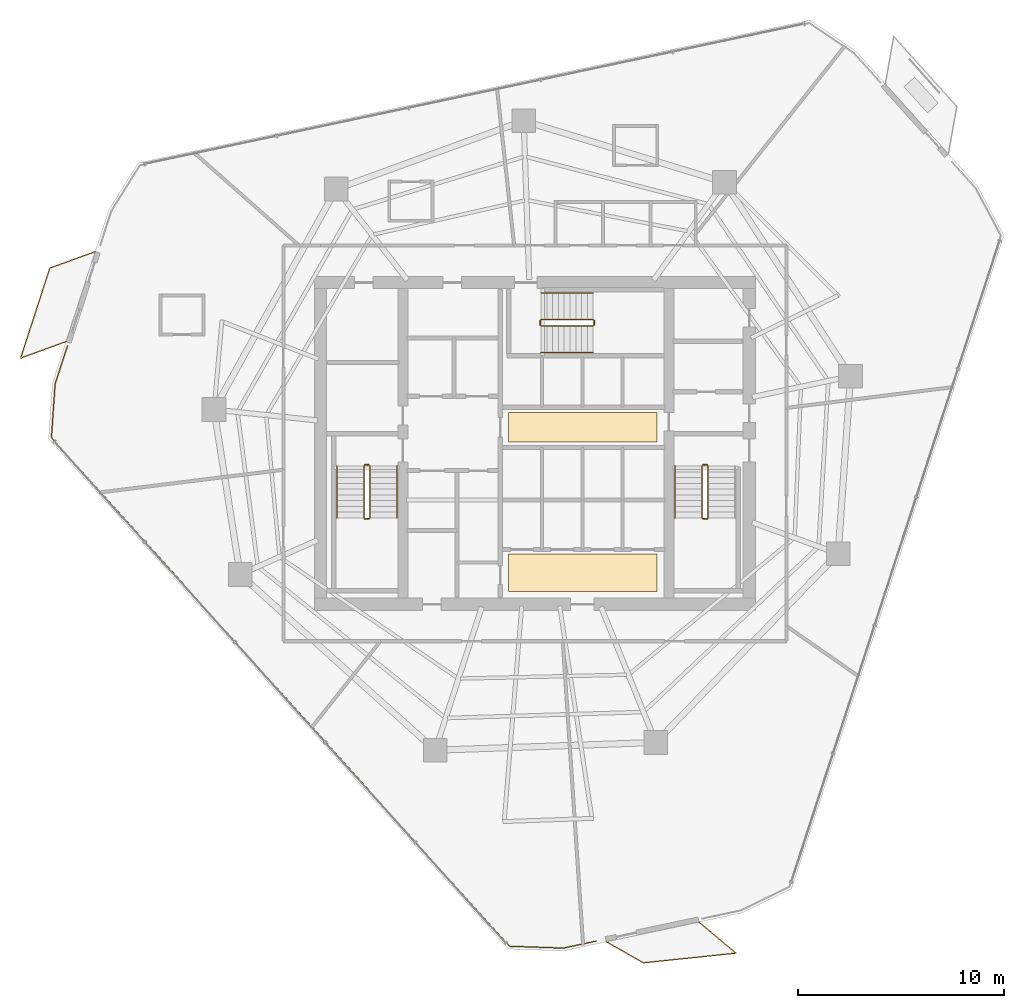
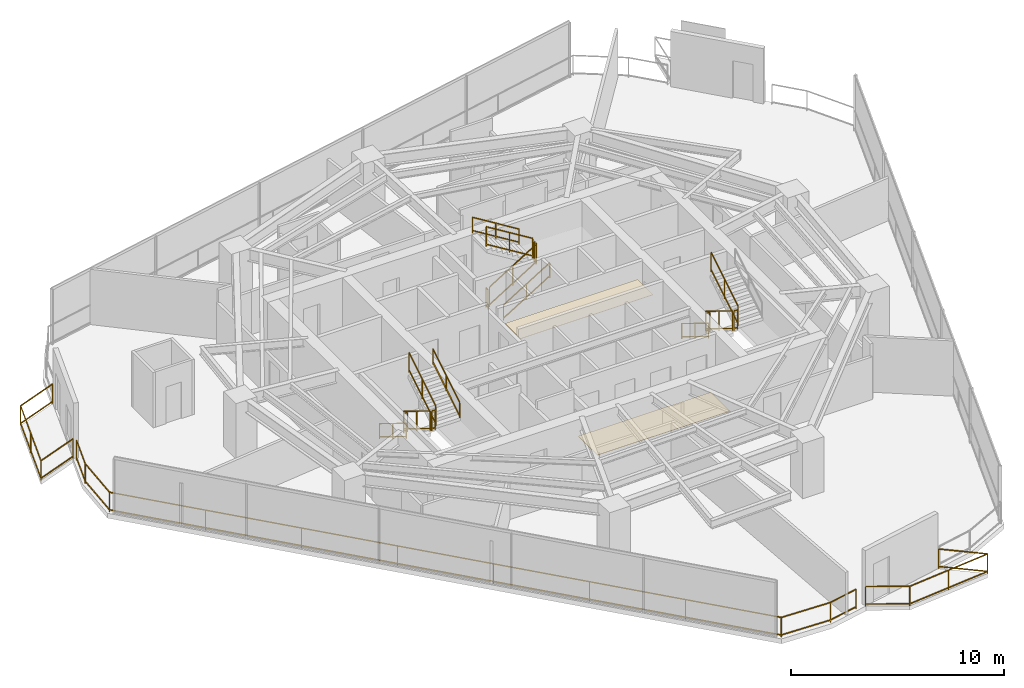
# One storey, part 26 of 27: 20 railings, 2 coverings.
"""IFC4 building model written with IfcOpenShell, lengths in metres."""

from ifc_helpers import new_model, si_unit, direction, frame, origin, origin_2d, place, context, subcontext, project, spatial, rectangle, extrude, material, layer, layer_set, type_object, element, save


model = new_model("IFC4")

# Units and contexts
model_context = context("Model", 3, precision=1e-05, world=origin(), true_north=direction((0.0, 1.0)))
body_context = subcontext(model_context, "Body", "Model", "MODEL_VIEW")
ifc_project = project(units=[si_unit("LENGTHUNIT", "METRE"), si_unit("AREAUNIT", "SQUARE_METRE"), si_unit("VOLUMEUNIT", "CUBIC_METRE"), si_unit("PLANEANGLEUNIT", "RADIAN"), si_unit("MASSUNIT", "GRAM", prefix="KILO")], contexts=[model_context])

# Site, building, storey
site_placement = place(None, origin())
site = spatial("IfcSite", under=ifc_project, at=site_placement, CompositionType="ELEMENT")
building_placement = place(site_placement, origin())
building = spatial("IfcBuilding", under=site, at=building_placement, Name="Qarnah Convention Tower", CompositionType="ELEMENT")
storey_placement = place(building_placement, frame((0.0, 0.0, 110.85009765625)))
storey = spatial("IfcBuildingStorey", under=building, at=storey_placement, Name="L29", CompositionType="ELEMENT", Elevation=110.85009765625)

# Coverings
ifc_material_1 = material(Name="Mineral fibre acoustic ceiling")
ifc_layer_1 = layer(ifc_material_1, 0.02001953125)
ifc_layer_set_1 = layer_set([ifc_layer_1], Name="Mineral fibre acoustic ceiling")
covering_type_1 = type_object("IfcCoveringType", Name="COV-CEIL-20", PredefinedType="CEILING", material=ifc_layer_set_1)
covering_1_placement = place(storey_placement, frame((39.52001953125, 27.179931640625, 2.289794921875), z_axis=(0.0, 0.0, 1.0), x_axis=(1.0, 0.0, 0.0)))
element("IfcCovering", 1, at=covering_1_placement, inside=storey, type_object=covering_type_1, Name="L29 lift lobby acoustic ceiling", PredefinedType="CEILING", context=body_context, shape_type="SweptSolid", body=[
    extrude(rectangle(XDim=7.199951171875, YDim=1.449951171875, at=origin_2d()), origin(), (0.0, 0.0, 1.0), 0.02001953125),
])
ifc_material_2 = material(Name="Porcelain stone floor tile", Category="masonry")
ifc_layer_2 = layer(ifc_material_2, 0.02001953125)
ifc_layer_set_2 = layer_set([ifc_layer_2], Name="Porcelain stone floor tile")
covering_type_2 = type_object("IfcCoveringType", Name="COV-FLOOR-20", PredefinedType="FLOORING", material=ifc_layer_set_2)
covering_2_placement = place(storey_placement, frame((39.52001953125, 20.1201171875, 0.0), z_axis=(0.0, 0.0, 1.0), x_axis=(1.0, 0.0, 0.0)))
element("IfcCovering", 2, at=covering_2_placement, inside=storey, type_object=covering_type_2, Name="L29 lift lobby porcelain stone flooring", PredefinedType="FLOORING", context=body_context, shape_type="SweptSolid", body=[
    extrude(rectangle(XDim=7.199951171875, YDim=1.800048828125, at=origin_2d()), origin(), (0.0, 0.0, 1.0), 0.02001953125),
])

# Railings
ifc_material_3 = material(Name="Black anodised aluminium", Category="aluminium")
railing_type_1 = type_object("IfcRailingType", Name="RL-EXT-GUARD-1150", PredefinedType="GUARDRAIL", material=ifc_material_3)
railing_1_placement = place(storey_placement, frame((40.160888671875, 2.25390625, 0.0)))
element("IfcRailing", 3, at=railing_1_placement, inside=storey, type_object=railing_type_1, Name="L29 slab-edge perimeter safety guard 03", PredefinedType="GUARDRAIL", context=body_context, shape_type="SweptSolid", body=[
    extrude(rectangle(XDim=0.048095703125, YDim=0.048095703125, at=origin_2d()), frame((0.0, 0.0, 1.1259765625), z_axis=(-0.978274765157, -0.207312527014, 0.0), x_axis=(0.207312527014, -0.978274765157, 0.0)), (0.0, 0.0, 1.0), 1.625244140625),
    extrude(rectangle(XDim=0.048095703125, YDim=0.048095703125, at=origin_2d()), frame((0.0, 0.0, 0.1201171875), z_axis=(-0.978274765157, -0.207312527014, 0.0), x_axis=(0.207312527014, -0.978274765157, 0.0)), (0.0, 0.0, 1.0), 1.625244140625),
    extrude(rectangle(XDim=0.048095703125, YDim=0.048095703125, at=origin_2d()), frame((-1.58984375, -0.3369140625, 1.1259765625), z_axis=(-0.999391473509, 0.034880978724, 0.0), x_axis=(-0.034880978724, -0.999391473509, 0.0)), (0.0, 0.0, 1.0), 2.61083984375),
    extrude(rectangle(XDim=0.048095703125, YDim=0.048095703125, at=origin_2d()), frame((-1.58984375, -0.3369140625, 0.1201171875), z_axis=(-0.999391473509, 0.034880978724, 0.0), x_axis=(-0.034880978724, -0.999391473509, 0.0)), (0.0, 0.0, 1.0), 2.61083984375),
    extrude(rectangle(XDim=0.048095703125, YDim=0.048095703125, at=origin_2d()), frame((-4.198974609375, -0.245849609375, 1.1259765625), z_axis=(-0.669115865186, 0.743158098224, 0.0), x_axis=(-0.743158098224, -0.669115865186, 0.0)), (0.0, 0.0, 1.0), 33.197265625),
    extrude(rectangle(XDim=0.048095703125, YDim=0.048095703125, at=origin_2d()), frame((-4.198974609375, -0.245849609375, 0.1201171875), z_axis=(-0.669115865186, 0.743158098224, 0.0), x_axis=(-0.743158098224, -0.669115865186, 0.0)), (0.0, 0.0, 1.0), 33.197265625),
    extrude(rectangle(XDim=0.048095703125, YDim=0.048095703125, at=origin_2d()), frame((-26.411865234375, 24.425048828125, 1.1259765625), z_axis=(0.069331916407, 0.997593647417, 0.0), x_axis=(-0.997593647417, 0.069331916407, 0.0)), (0.0, 0.0, 1.0), 2.609375),
    extrude(rectangle(XDim=0.048095703125, YDim=0.048095703125, at=origin_2d()), frame((-26.411865234375, 24.425048828125, 0.1201171875), z_axis=(0.069331916407, 0.997593647417, 0.0), x_axis=(-0.997593647417, 0.069331916407, 0.0)), (0.0, 0.0, 1.0), 2.609375),
    extrude(rectangle(XDim=0.048095703125, YDim=0.048095703125, at=origin_2d()), frame((-26.23095703125, 27.028076171875, 1.1259765625), z_axis=(0.309140281319, 0.951016449104, 0.0), x_axis=(-0.951016449104, 0.309140281319, 0.0)), (0.0, 0.0, 1.0), 1.934814453125),
    extrude(rectangle(XDim=0.048095703125, YDim=0.048095703125, at=origin_2d()), frame((-26.23095703125, 27.028076171875, 0.1201171875), z_axis=(0.309140281319, 0.951016449104, 0.0), x_axis=(-0.951016449104, 0.309140281319, 0.0)), (0.0, 0.0, 1.0), 1.934814453125),
    extrude(rectangle(XDim=0.0419921875, YDim=0.0419921875, at=origin_2d()), origin(), (0.0, 0.0, 1.0), 1.101806640625),
    extrude(rectangle(XDim=0.0419921875, YDim=0.0419921875, at=origin_2d()), frame((-1.58984375, -0.3369140625, 0.0)), (0.0, 0.0, 1.0), 1.101806640625),
    extrude(rectangle(XDim=0.0419921875, YDim=0.0419921875, at=origin_2d()), frame((-4.198974609375, -0.245849609375, 0.0)), (0.0, 0.0, 1.0), 1.101806640625),
    extrude(rectangle(XDim=0.0419921875, YDim=0.0419921875, at=origin_2d()), frame((-7.372314453125, 3.278564453125, 0.0)), (0.0, 0.0, 1.0), 1.101806640625),
    extrude(rectangle(XDim=0.0419921875, YDim=0.0419921875, at=origin_2d()), frame((-10.54541015625, 6.802978515625, 0.0)), (0.0, 0.0, 1.0), 1.101806640625),
    extrude(rectangle(XDim=0.0419921875, YDim=0.0419921875, at=origin_2d()), frame((-13.71875, 10.327392578125, 0.0)), (0.0, 0.0, 1.0), 1.101806640625),
    extrude(rectangle(XDim=0.0419921875, YDim=0.0419921875, at=origin_2d()), frame((-16.89208984375, 13.851806640625, 0.0)), (0.0, 0.0, 1.0), 1.101806640625),
    extrude(rectangle(XDim=0.0419921875, YDim=0.0419921875, at=origin_2d()), frame((-20.0654296875, 17.376220703125, 0.0)), (0.0, 0.0, 1.0), 1.101806640625),
    extrude(rectangle(XDim=0.0419921875, YDim=0.0419921875, at=origin_2d()), frame((-23.238525390625, 20.900634765625, 0.0)), (0.0, 0.0, 1.0), 1.101806640625),
    extrude(rectangle(XDim=0.0419921875, YDim=0.0419921875, at=origin_2d()), frame((-26.411865234375, 24.425048828125, 0.0)), (0.0, 0.0, 1.0), 1.101806640625),
    extrude(rectangle(XDim=0.0419921875, YDim=0.0419921875, at=origin_2d()), frame((-26.23095703125, 27.028076171875, 0.0)), (0.0, 0.0, 1.0), 1.101806640625),
    extrude(rectangle(XDim=0.0419921875, YDim=0.0419921875, at=origin_2d()), frame((-25.6328125, 28.8681640625, 0.0)), (0.0, 0.0, 1.0), 1.101806640625),
])
railing_2_placement = place(storey_placement, frame((14.4541015625, 31.3291015625, 0.0)))
element("IfcRailing", 4, at=railing_2_placement, inside=storey, type_object=railing_type_1, Name="L29 balcony safety guard BAL-L29-C2", PredefinedType="GUARDRAIL", context=body_context, shape_type="SweptSolid", body=[
    extrude(rectangle(XDim=0.048095703125, YDim=0.048095703125, at=origin_2d()), frame((0.0, 0.0, 1.1259765625), z_axis=(-0.939653679597, -0.342127114417, 0.0), x_axis=(0.342127114417, -0.939653679597, 0.0)), (0.0, 0.0, 1.0), 2.34765625),
    extrude(rectangle(XDim=0.048095703125, YDim=0.048095703125, at=origin_2d()), frame((0.0, 0.0, 0.1201171875), z_axis=(-0.939653679597, -0.342127114417, 0.0), x_axis=(0.342127114417, -0.939653679597, 0.0)), (0.0, 0.0, 1.0), 2.34765625),
    extrude(rectangle(XDim=0.048095703125, YDim=0.048095703125, at=origin_2d()), frame((-2.2060546875, -0.80322265625, 1.1259765625), z_axis=(0.308956432108, 0.951076192037, 0.0), x_axis=(-0.951076192037, 0.308956432108, 0.0)), (0.0, 0.0, 1.0), 4.59912109375),
    extrude(rectangle(XDim=0.048095703125, YDim=0.048095703125, at=origin_2d()), frame((-2.2060546875, -0.80322265625, 0.1201171875), z_axis=(0.308956432108, 0.951076192037, 0.0), x_axis=(-0.951076192037, 0.308956432108, 0.0)), (0.0, 0.0, 1.0), 4.59912109375),
    extrude(rectangle(XDim=0.048095703125, YDim=0.048095703125, at=origin_2d()), frame((-0.78515625, 3.57080078125, 1.1259765625), z_axis=(0.939687107111, 0.342035291643, 0.0), x_axis=(-0.342035291643, 0.939687107111, 0.0)), (0.0, 0.0, 1.0), 2.34765625),
    extrude(rectangle(XDim=0.048095703125, YDim=0.048095703125, at=origin_2d()), frame((-0.78515625, 3.57080078125, 0.1201171875), z_axis=(0.939687107111, 0.342035291643, 0.0), x_axis=(-0.342035291643, 0.939687107111, 0.0)), (0.0, 0.0, 1.0), 2.34765625),
    extrude(rectangle(XDim=0.0419921875, YDim=0.0419921875, at=origin_2d()), origin(), (0.0, 0.0, 1.0), 1.101806640625),
    extrude(rectangle(XDim=0.0419921875, YDim=0.0419921875, at=origin_2d()), frame((-2.2060546875, -0.80322265625, 0.0)), (0.0, 0.0, 1.0), 1.101806640625),
    extrude(rectangle(XDim=0.0419921875, YDim=0.0419921875, at=origin_2d()), frame((-1.49560546875, 1.3837890625, 0.0)), (0.0, 0.0, 1.0), 1.101806640625),
    extrude(rectangle(XDim=0.0419921875, YDim=0.0419921875, at=origin_2d()), frame((-0.78515625, 3.57080078125, 0.0)), (0.0, 0.0, 1.0), 1.101806640625),
    extrude(rectangle(XDim=0.0419921875, YDim=0.0419921875, at=origin_2d()), frame((1.4208984375, 4.373779296875, 0.0)), (0.0, 0.0, 1.0), 1.101806640625),
])
railing_3_placement = place(storey_placement, frame((45.159912109375, 3.178955078125, 0.0)))
element("IfcRailing", 5, at=railing_3_placement, inside=storey, type_object=railing_type_1, Name="L29 balcony safety guard BAL-L29-C3", PredefinedType="GUARDRAIL", context=body_context, shape_type="SweptSolid", body=[
    extrude(rectangle(XDim=0.048095703125, YDim=0.048095703125, at=origin_2d()), frame((0.0, 0.0, 1.1259765625), z_axis=(0.766163469547, -0.642645732836, 0.0), x_axis=(0.642645732836, 0.766163469547, 0.0)), (0.0, 0.0, 1.0), 2.34814453125),
    extrude(rectangle(XDim=0.048095703125, YDim=0.048095703125, at=origin_2d()), frame((0.0, 0.0, 0.1201171875), z_axis=(0.766163469547, -0.642645732836, 0.0), x_axis=(0.642645732836, 0.766163469547, 0.0)), (0.0, 0.0, 1.0), 2.34814453125),
    extrude(rectangle(XDim=0.048095703125, YDim=0.048095703125, at=origin_2d()), frame((1.799072265625, -1.509033203125, 1.1259765625), z_axis=(-0.994590570593, -0.103872984396, 0.0), x_axis=(0.103872984396, -0.994590570593, 0.0)), (0.0, 0.0, 1.0), 4.5244140625),
    extrude(rectangle(XDim=0.048095703125, YDim=0.048095703125, at=origin_2d()), frame((1.799072265625, -1.509033203125, 0.1201171875), z_axis=(-0.994590570593, -0.103872984396, 0.0), x_axis=(0.103872984396, -0.994590570593, 0.0)), (0.0, 0.0, 1.0), 4.5244140625),
    extrude(rectangle(XDim=0.048095703125, YDim=0.048095703125, at=origin_2d()), frame((-2.700927734375, -1.97900390625, 1.1259765625), z_axis=(-0.869185695751, 0.494485820122, 0.0), x_axis=(-0.494485820122, -0.869185695751, 0.0)), (0.0, 0.0, 1.0), 2.068603515625),
    extrude(rectangle(XDim=0.048095703125, YDim=0.048095703125, at=origin_2d()), frame((-2.700927734375, -1.97900390625, 0.1201171875), z_axis=(-0.869185695751, 0.494485820122, 0.0), x_axis=(-0.494485820122, -0.869185695751, 0.0)), (0.0, 0.0, 1.0), 2.068603515625),
    extrude(rectangle(XDim=0.0419921875, YDim=0.0419921875, at=origin_2d()), origin(), (0.0, 0.0, 1.0), 1.101806640625),
    extrude(rectangle(XDim=0.0419921875, YDim=0.0419921875, at=origin_2d()), frame((1.799072265625, -1.509033203125, 0.0)), (0.0, 0.0, 1.0), 1.101806640625),
    extrude(rectangle(XDim=0.0419921875, YDim=0.0419921875, at=origin_2d()), frame((-0.450927734375, -1.744140625, 0.0)), (0.0, 0.0, 1.0), 1.101806640625),
    extrude(rectangle(XDim=0.0419921875, YDim=0.0419921875, at=origin_2d()), frame((-2.700927734375, -1.97900390625, 0.0)), (0.0, 0.0, 1.0), 1.101806640625),
    extrude(rectangle(XDim=0.0419921875, YDim=0.0419921875, at=origin_2d()), frame((-4.4990234375, -0.9560546875, 0.0)), (0.0, 0.0, 1.0), 1.101806640625),
])
ifc_material_4 = material(Name="Structural steel S355JR", Category="steel")
railing_type_2 = type_object("IfcRailingType", Name="RL-STAIR-GUARD-1150", PredefinedType="GUARDRAIL", material=ifc_material_4)
railing_4_placement = place(storey_placement, frame((28.89990234375, 25.300048828125, 0.17236328125)))
element("IfcRailing", 6, at=railing_4_placement, inside=storey, type_object=railing_type_2, Name="L29 ST-1 stair guard 1", PredefinedType="GUARDRAIL", context=body_context, shape_type="SweptSolid", body=[
    extrude(rectangle(XDim=0.048095703125, YDim=0.048095703125, at=origin_2d()), frame((0.0, 0.0, 1.1259765625), z_axis=(0.0, -0.851400495292, 0.524516154772), x_axis=(1.0, 0.0, 0.0)), (0.0, 0.0, 1.0), 2.9599609375),
    extrude(rectangle(XDim=0.048095703125, YDim=0.048095703125, at=origin_2d()), frame((0.0, 0.0, 0.1201171875), z_axis=(0.0, -0.851400495292, 0.524516154772), x_axis=(1.0, 0.0, 0.0)), (0.0, 0.0, 1.0), 2.9599609375),
    extrude(rectangle(XDim=0.0419921875, YDim=0.0419921875, at=origin_2d()), origin(), (0.0, 0.0, 1.0), 1.101806640625),
    extrude(rectangle(XDim=0.0419921875, YDim=0.0419921875, at=origin_2d()), frame((0.0, -1.260009765625, 0.7763671875)), (0.0, 0.0, 1.0), 1.101806640625),
    extrude(rectangle(XDim=0.0419921875, YDim=0.0419921875, at=origin_2d()), frame((0.0, -2.52001953125, 1.552490234375)), (0.0, 0.0, 1.0), 1.101806640625),
])
railing_5_placement = place(storey_placement, frame((28.949951171875, 22.72998046875, 1.724853515625)))
element("IfcRailing", 7, at=railing_5_placement, inside=storey, type_object=railing_type_2, Name="L29 ST-1 stair guard 2", PredefinedType="GUARDRAIL", context=body_context, shape_type="SweptSolid", body=[
    extrude(rectangle(XDim=0.048095703125, YDim=0.048095703125, at=origin_2d()), frame((0.0, 0.0, 1.1259765625), z_axis=(1.0, 0.0, 0.0), x_axis=(0.0, 1.0, 0.0)), (0.0, 0.0, 1.0), 0.199951171875),
    extrude(rectangle(XDim=0.048095703125, YDim=0.048095703125, at=origin_2d()), frame((0.0, 0.0, 0.1201171875), z_axis=(1.0, 0.0, 0.0), x_axis=(0.0, 1.0, 0.0)), (0.0, 0.0, 1.0), 0.199951171875),
    extrude(rectangle(XDim=0.0419921875, YDim=0.0419921875, at=origin_2d()), origin(), (0.0, 0.0, 1.0), 1.101806640625),
    extrude(rectangle(XDim=0.0419921875, YDim=0.0419921875, at=origin_2d()), frame((0.199951171875, 0.0, 0.0)), (0.0, 0.0, 1.0), 1.101806640625),
])
railing_6_placement = place(storey_placement, frame((29.199951171875, 22.780029296875, 1.8974609375)))
element("IfcRailing", 8, at=railing_6_placement, inside=storey, type_object=railing_type_2, Name="L29 ST-1 stair guard 3", PredefinedType="GUARDRAIL", context=body_context, shape_type="SweptSolid", body=[
    extrude(rectangle(XDim=0.048095703125, YDim=0.048095703125, at=origin_2d()), frame((0.0, 0.0, 1.1259765625), z_axis=(0.0, 0.851400495292, 0.524516154772), x_axis=(-1.0, 0.0, 0.0)), (0.0, 0.0, 1.0), 2.9599609375),
    extrude(rectangle(XDim=0.048095703125, YDim=0.048095703125, at=origin_2d()), frame((0.0, 0.0, 0.1201171875), z_axis=(0.0, 0.851400495292, 0.524516154772), x_axis=(-1.0, 0.0, 0.0)), (0.0, 0.0, 1.0), 2.9599609375),
    extrude(rectangle(XDim=0.0419921875, YDim=0.0419921875, at=origin_2d()), origin(), (0.0, 0.0, 1.0), 1.101806640625),
    extrude(rectangle(XDim=0.0419921875, YDim=0.0419921875, at=origin_2d()), frame((0.0, 1.260009765625, 0.7763671875)), (0.0, 0.0, 1.0), 1.101806640625),
    extrude(rectangle(XDim=0.0419921875, YDim=0.0419921875, at=origin_2d()), frame((0.0, 2.52001953125, 1.552490234375)), (0.0, 0.0, 1.0), 1.101806640625),
])
railing_7_placement = place(storey_placement, frame((28.949951171875, 25.35009765625, 0.0)))
element("IfcRailing", 9, at=railing_7_placement, inside=storey, type_object=railing_type_2, Name="L29 ST-1 stair guard 4", PredefinedType="GUARDRAIL", context=body_context, shape_type="SweptSolid", body=[
    extrude(rectangle(XDim=0.048095703125, YDim=0.048095703125, at=origin_2d()), frame((0.0, 0.0, 1.1259765625), z_axis=(1.0, 0.0, 0.0), x_axis=(0.0, 1.0, 0.0)), (0.0, 0.0, 1.0), 0.199951171875),
    extrude(rectangle(XDim=0.048095703125, YDim=0.048095703125, at=origin_2d()), frame((0.0, 0.0, 0.1201171875), z_axis=(1.0, 0.0, 0.0), x_axis=(0.0, 1.0, 0.0)), (0.0, 0.0, 1.0), 0.199951171875),
    extrude(rectangle(XDim=0.0419921875, YDim=0.0419921875, at=origin_2d()), origin(), (0.0, 0.0, 1.0), 1.101806640625),
    extrude(rectangle(XDim=0.0419921875, YDim=0.0419921875, at=origin_2d()), frame((0.199951171875, 0.0, 0.0)), (0.0, 0.0, 1.0), 1.101806640625),
])
railing_8_placement = place(storey_placement, frame((45.300048828125, 25.300048828125, 0.17236328125)))
element("IfcRailing", 10, at=railing_8_placement, inside=storey, type_object=railing_type_2, Name="L29 ST-2 stair guard 1", PredefinedType="GUARDRAIL", context=body_context, shape_type="SweptSolid", body=[
    extrude(rectangle(XDim=0.048095703125, YDim=0.048095703125, at=origin_2d()), frame((0.0, 0.0, 1.1259765625), z_axis=(0.0, -0.851400495292, 0.524516154772), x_axis=(1.0, 0.0, 0.0)), (0.0, 0.0, 1.0), 2.9599609375),
    extrude(rectangle(XDim=0.048095703125, YDim=0.048095703125, at=origin_2d()), frame((0.0, 0.0, 0.1201171875), z_axis=(0.0, -0.851400495292, 0.524516154772), x_axis=(1.0, 0.0, 0.0)), (0.0, 0.0, 1.0), 2.9599609375),
    extrude(rectangle(XDim=0.0419921875, YDim=0.0419921875, at=origin_2d()), origin(), (0.0, 0.0, 1.0), 1.101806640625),
    extrude(rectangle(XDim=0.0419921875, YDim=0.0419921875, at=origin_2d()), frame((0.0, -1.260009765625, 0.7763671875)), (0.0, 0.0, 1.0), 1.101806640625),
    extrude(rectangle(XDim=0.0419921875, YDim=0.0419921875, at=origin_2d()), frame((0.0, -2.52001953125, 1.552490234375)), (0.0, 0.0, 1.0), 1.101806640625),
])
railing_9_placement = place(storey_placement, frame((45.35009765625, 22.72998046875, 1.724853515625)))
element("IfcRailing", 11, at=railing_9_placement, inside=storey, type_object=railing_type_2, Name="L29 ST-2 stair guard 2", PredefinedType="GUARDRAIL", context=body_context, shape_type="SweptSolid", body=[
    extrude(rectangle(XDim=0.048095703125, YDim=0.048095703125, at=origin_2d()), frame((0.0, 0.0, 1.1259765625), z_axis=(1.0, 0.0, 0.0), x_axis=(0.0, 1.0, 0.0)), (0.0, 0.0, 1.0), 0.199951171875),
    extrude(rectangle(XDim=0.048095703125, YDim=0.048095703125, at=origin_2d()), frame((0.0, 0.0, 0.1201171875), z_axis=(1.0, 0.0, 0.0), x_axis=(0.0, 1.0, 0.0)), (0.0, 0.0, 1.0), 0.199951171875),
    extrude(rectangle(XDim=0.0419921875, YDim=0.0419921875, at=origin_2d()), origin(), (0.0, 0.0, 1.0), 1.101806640625),
    extrude(rectangle(XDim=0.0419921875, YDim=0.0419921875, at=origin_2d()), frame((0.199951171875, 0.0, 0.0)), (0.0, 0.0, 1.0), 1.101806640625),
])
railing_10_placement = place(storey_placement, frame((45.60009765625, 22.780029296875, 1.8974609375)))
element("IfcRailing", 12, at=railing_10_placement, inside=storey, type_object=railing_type_2, Name="L29 ST-2 stair guard 3", PredefinedType="GUARDRAIL", context=body_context, shape_type="SweptSolid", body=[
    extrude(rectangle(XDim=0.048095703125, YDim=0.048095703125, at=origin_2d()), frame((0.0, 0.0, 1.1259765625), z_axis=(0.0, 0.851400495292, 0.524516154772), x_axis=(-1.0, 0.0, 0.0)), (0.0, 0.0, 1.0), 2.9599609375),
    extrude(rectangle(XDim=0.048095703125, YDim=0.048095703125, at=origin_2d()), frame((0.0, 0.0, 0.1201171875), z_axis=(0.0, 0.851400495292, 0.524516154772), x_axis=(-1.0, 0.0, 0.0)), (0.0, 0.0, 1.0), 2.9599609375),
    extrude(rectangle(XDim=0.0419921875, YDim=0.0419921875, at=origin_2d()), origin(), (0.0, 0.0, 1.0), 1.101806640625),
    extrude(rectangle(XDim=0.0419921875, YDim=0.0419921875, at=origin_2d()), frame((0.0, 1.260009765625, 0.7763671875)), (0.0, 0.0, 1.0), 1.101806640625),
    extrude(rectangle(XDim=0.0419921875, YDim=0.0419921875, at=origin_2d()), frame((0.0, 2.52001953125, 1.552490234375)), (0.0, 0.0, 1.0), 1.101806640625),
])
railing_11_placement = place(storey_placement, frame((45.35009765625, 25.35009765625, 0.0)))
element("IfcRailing", 13, at=railing_11_placement, inside=storey, type_object=railing_type_2, Name="L29 ST-2 stair guard 4", PredefinedType="GUARDRAIL", context=body_context, shape_type="SweptSolid", body=[
    extrude(rectangle(XDim=0.048095703125, YDim=0.048095703125, at=origin_2d()), frame((0.0, 0.0, 1.1259765625), z_axis=(1.0, 0.0, 0.0), x_axis=(0.0, 1.0, 0.0)), (0.0, 0.0, 1.0), 0.199951171875),
    extrude(rectangle(XDim=0.048095703125, YDim=0.048095703125, at=origin_2d()), frame((0.0, 0.0, 0.1201171875), z_axis=(1.0, 0.0, 0.0), x_axis=(0.0, 1.0, 0.0)), (0.0, 0.0, 1.0), 0.199951171875),
    extrude(rectangle(XDim=0.0419921875, YDim=0.0419921875, at=origin_2d()), origin(), (0.0, 0.0, 1.0), 1.101806640625),
    extrude(rectangle(XDim=0.0419921875, YDim=0.0419921875, at=origin_2d()), frame((0.199951171875, 0.0, 0.0)), (0.0, 0.0, 1.0), 1.101806640625),
])
railing_12_placement = place(storey_placement, frame((37.5, 32.10009765625, 0.17236328125)))
element("IfcRailing", 14, at=railing_12_placement, inside=storey, type_object=railing_type_2, Name="L29 ST-3 stair guard 1", PredefinedType="GUARDRAIL", context=body_context, shape_type="SweptSolid", body=[
    extrude(rectangle(XDim=0.048095703125, YDim=0.048095703125, at=origin_2d()), frame((0.0, 0.0, 1.1259765625), z_axis=(0.851400495292, 0.0, 0.524516154772), x_axis=(0.0, 1.0, 0.0)), (0.0, 0.0, 1.0), 2.9599609375),
    extrude(rectangle(XDim=0.048095703125, YDim=0.048095703125, at=origin_2d()), frame((0.0, 0.0, 0.1201171875), z_axis=(0.851400495292, 0.0, 0.524516154772), x_axis=(0.0, 1.0, 0.0)), (0.0, 0.0, 1.0), 2.9599609375),
    extrude(rectangle(XDim=0.0419921875, YDim=0.0419921875, at=origin_2d()), origin(), (0.0, 0.0, 1.0), 1.101806640625),
    extrude(rectangle(XDim=0.0419921875, YDim=0.0419921875, at=origin_2d()), frame((1.260009765625, 0.0, 0.7763671875)), (0.0, 0.0, 1.0), 1.101806640625),
    extrude(rectangle(XDim=0.0419921875, YDim=0.0419921875, at=origin_2d()), frame((2.52001953125, 0.0, 1.552490234375)), (0.0, 0.0, 1.0), 1.101806640625),
])
railing_13_placement = place(storey_placement, frame((40.070068359375, 32.14990234375, 1.724853515625)))
element("IfcRailing", 15, at=railing_13_placement, inside=storey, type_object=railing_type_2, Name="L29 ST-3 stair guard 2", PredefinedType="GUARDRAIL", context=body_context, shape_type="SweptSolid", body=[
    extrude(rectangle(XDim=0.048095703125, YDim=0.048095703125, at=origin_2d()), frame((0.0, 0.0, 1.1259765625), z_axis=(0.0, 1.0, 0.0), x_axis=(-1.0, 0.0, 0.0)), (0.0, 0.0, 1.0), 0.2001953125),
    extrude(rectangle(XDim=0.048095703125, YDim=0.048095703125, at=origin_2d()), frame((0.0, 0.0, 0.1201171875), z_axis=(0.0, 1.0, 0.0), x_axis=(-1.0, 0.0, 0.0)), (0.0, 0.0, 1.0), 0.2001953125),
    extrude(rectangle(XDim=0.0419921875, YDim=0.0419921875, at=origin_2d()), origin(), (0.0, 0.0, 1.0), 1.101806640625),
    extrude(rectangle(XDim=0.0419921875, YDim=0.0419921875, at=origin_2d()), frame((0.0, 0.2001953125, 0.0)), (0.0, 0.0, 1.0), 1.101806640625),
])
railing_14_placement = place(storey_placement, frame((40.02001953125, 32.39990234375, 1.8974609375)))
element("IfcRailing", 16, at=railing_14_placement, inside=storey, type_object=railing_type_2, Name="L29 ST-3 stair guard 3", PredefinedType="GUARDRAIL", context=body_context, shape_type="SweptSolid", body=[
    extrude(rectangle(XDim=0.048095703125, YDim=0.048095703125, at=origin_2d()), frame((0.0, 0.0, 1.1259765625), z_axis=(-0.851400495292, 0.0, 0.524516154772), x_axis=(0.0, -1.0, 0.0)), (0.0, 0.0, 1.0), 2.9599609375),
    extrude(rectangle(XDim=0.048095703125, YDim=0.048095703125, at=origin_2d()), frame((0.0, 0.0, 0.1201171875), z_axis=(-0.851400495292, 0.0, 0.524516154772), x_axis=(0.0, -1.0, 0.0)), (0.0, 0.0, 1.0), 2.9599609375),
    extrude(rectangle(XDim=0.0419921875, YDim=0.0419921875, at=origin_2d()), origin(), (0.0, 0.0, 1.0), 1.101806640625),
    extrude(rectangle(XDim=0.0419921875, YDim=0.0419921875, at=origin_2d()), frame((-1.260009765625, 0.0, 0.7763671875)), (0.0, 0.0, 1.0), 1.101806640625),
    extrude(rectangle(XDim=0.0419921875, YDim=0.0419921875, at=origin_2d()), frame((-2.52001953125, 0.0, 1.552490234375)), (0.0, 0.0, 1.0), 1.101806640625),
])
railing_15_placement = place(storey_placement, frame((37.449951171875, 32.14990234375, 0.0)))
element("IfcRailing", 17, at=railing_15_placement, inside=storey, type_object=railing_type_2, Name="L29 ST-3 stair guard 4", PredefinedType="GUARDRAIL", context=body_context, shape_type="SweptSolid", body=[
    extrude(rectangle(XDim=0.048095703125, YDim=0.048095703125, at=origin_2d()), frame((0.0, 0.0, 1.1259765625), z_axis=(0.0, 1.0, 0.0), x_axis=(-1.0, 0.0, 0.0)), (0.0, 0.0, 1.0), 0.2001953125),
    extrude(rectangle(XDim=0.048095703125, YDim=0.048095703125, at=origin_2d()), frame((0.0, 0.0, 0.1201171875), z_axis=(0.0, 1.0, 0.0), x_axis=(-1.0, 0.0, 0.0)), (0.0, 0.0, 1.0), 0.2001953125),
    extrude(rectangle(XDim=0.0419921875, YDim=0.0419921875, at=origin_2d()), origin(), (0.0, 0.0, 1.0), 1.101806640625),
    extrude(rectangle(XDim=0.0419921875, YDim=0.0419921875, at=origin_2d()), frame((0.0, 0.2001953125, 0.0)), (0.0, 0.0, 1.0), 1.101806640625),
])
railing_type_3 = type_object("IfcRailingType", Name="RL-STAIR-HAND-900", PredefinedType="HANDRAIL", material=ifc_material_4)
railing_16_placement = place(storey_placement, frame((27.60009765625, 25.300048828125, 0.17236328125)))
element("IfcRailing", 18, at=railing_16_placement, inside=storey, type_object=railing_type_3, Name="L29 ST-1 stair handrail 1", PredefinedType="HANDRAIL", context=body_context, shape_type="SweptSolid", body=[
    extrude(rectangle(XDim=0.048095703125, YDim=0.048095703125, at=origin_2d()), frame((0.0, 0.0, 0.8759765625), z_axis=(0.0, -0.851400495292, 0.524516154772), x_axis=(1.0, 0.0, 0.0)), (0.0, 0.0, 1.0), 2.9599609375),
    extrude(rectangle(XDim=0.048095703125, YDim=0.048095703125, at=origin_2d()), frame((0.0, 0.0, 0.1201171875), z_axis=(0.0, -0.851400495292, 0.524516154772), x_axis=(1.0, 0.0, 0.0)), (0.0, 0.0, 1.0), 2.9599609375),
    extrude(rectangle(XDim=0.0419921875, YDim=0.0419921875, at=origin_2d()), origin(), (0.0, 0.0, 1.0), 0.851806640625),
    extrude(rectangle(XDim=0.0419921875, YDim=0.0419921875, at=origin_2d()), frame((0.0, -1.260009765625, 0.7763671875)), (0.0, 0.0, 1.0), 0.851806640625),
    extrude(rectangle(XDim=0.0419921875, YDim=0.0419921875, at=origin_2d()), frame((0.0, -2.52001953125, 1.552490234375)), (0.0, 0.0, 1.0), 0.851806640625),
])
railing_17_placement = place(storey_placement, frame((30.5, 22.780029296875, 1.8974609375)))
element("IfcRailing", 19, at=railing_17_placement, inside=storey, type_object=railing_type_3, Name="L29 ST-1 stair handrail 2", PredefinedType="HANDRAIL", context=body_context, shape_type="SweptSolid", body=[
    extrude(rectangle(XDim=0.048095703125, YDim=0.048095703125, at=origin_2d()), frame((0.0, 0.0, 0.8759765625), z_axis=(0.0, 0.851400495292, 0.524516154772), x_axis=(-1.0, 0.0, 0.0)), (0.0, 0.0, 1.0), 2.9599609375),
    extrude(rectangle(XDim=0.048095703125, YDim=0.048095703125, at=origin_2d()), frame((0.0, 0.0, 0.1201171875), z_axis=(0.0, 0.851400495292, 0.524516154772), x_axis=(-1.0, 0.0, 0.0)), (0.0, 0.0, 1.0), 2.9599609375),
    extrude(rectangle(XDim=0.0419921875, YDim=0.0419921875, at=origin_2d()), origin(), (0.0, 0.0, 1.0), 0.851806640625),
    extrude(rectangle(XDim=0.0419921875, YDim=0.0419921875, at=origin_2d()), frame((0.0, 1.260009765625, 0.7763671875)), (0.0, 0.0, 1.0), 0.851806640625),
    extrude(rectangle(XDim=0.0419921875, YDim=0.0419921875, at=origin_2d()), frame((0.0, 2.52001953125, 1.552490234375)), (0.0, 0.0, 1.0), 0.851806640625),
])
railing_18_placement = place(storey_placement, frame((44.0, 25.300048828125, 0.17236328125)))
element("IfcRailing", 20, at=railing_18_placement, inside=storey, type_object=railing_type_3, Name="L29 ST-2 stair handrail 1", PredefinedType="HANDRAIL", context=body_context, shape_type="SweptSolid", body=[
    extrude(rectangle(XDim=0.048095703125, YDim=0.048095703125, at=origin_2d()), frame((0.0, 0.0, 0.8759765625), z_axis=(0.0, -0.851400495292, 0.524516154772), x_axis=(1.0, 0.0, 0.0)), (0.0, 0.0, 1.0), 2.9599609375),
    extrude(rectangle(XDim=0.048095703125, YDim=0.048095703125, at=origin_2d()), frame((0.0, 0.0, 0.1201171875), z_axis=(0.0, -0.851400495292, 0.524516154772), x_axis=(1.0, 0.0, 0.0)), (0.0, 0.0, 1.0), 2.9599609375),
    extrude(rectangle(XDim=0.0419921875, YDim=0.0419921875, at=origin_2d()), origin(), (0.0, 0.0, 1.0), 0.851806640625),
    extrude(rectangle(XDim=0.0419921875, YDim=0.0419921875, at=origin_2d()), frame((0.0, -1.260009765625, 0.7763671875)), (0.0, 0.0, 1.0), 0.851806640625),
    extrude(rectangle(XDim=0.0419921875, YDim=0.0419921875, at=origin_2d()), frame((0.0, -2.52001953125, 1.552490234375)), (0.0, 0.0, 1.0), 0.851806640625),
])
railing_19_placement = place(storey_placement, frame((37.5, 30.800048828125, 0.17236328125)))
element("IfcRailing", 21, at=railing_19_placement, inside=storey, type_object=railing_type_3, Name="L29 ST-3 stair handrail 1", PredefinedType="HANDRAIL", context=body_context, shape_type="SweptSolid", body=[
    extrude(rectangle(XDim=0.048095703125, YDim=0.048095703125, at=origin_2d()), frame((0.0, 0.0, 0.8759765625), z_axis=(0.851400495292, 0.0, 0.524516154772), x_axis=(0.0, 1.0, 0.0)), (0.0, 0.0, 1.0), 2.9599609375),
    extrude(rectangle(XDim=0.048095703125, YDim=0.048095703125, at=origin_2d()), frame((0.0, 0.0, 0.1201171875), z_axis=(0.851400495292, 0.0, 0.524516154772), x_axis=(0.0, 1.0, 0.0)), (0.0, 0.0, 1.0), 2.9599609375),
    extrude(rectangle(XDim=0.0419921875, YDim=0.0419921875, at=origin_2d()), origin(), (0.0, 0.0, 1.0), 0.851806640625),
    extrude(rectangle(XDim=0.0419921875, YDim=0.0419921875, at=origin_2d()), frame((1.260009765625, 0.0, 0.7763671875)), (0.0, 0.0, 1.0), 0.851806640625),
    extrude(rectangle(XDim=0.0419921875, YDim=0.0419921875, at=origin_2d()), frame((2.52001953125, 0.0, 1.552490234375)), (0.0, 0.0, 1.0), 0.851806640625),
])
railing_20_placement = place(storey_placement, frame((40.02001953125, 33.699951171875, 1.8974609375)))
element("IfcRailing", 22, at=railing_20_placement, inside=storey, type_object=railing_type_3, Name="L29 ST-3 stair handrail 2", PredefinedType="HANDRAIL", context=body_context, shape_type="SweptSolid", body=[
    extrude(rectangle(XDim=0.048095703125, YDim=0.048095703125, at=origin_2d()), frame((0.0, 0.0, 0.8759765625), z_axis=(-0.851400495292, 0.0, 0.524516154772), x_axis=(0.0, -1.0, 0.0)), (0.0, 0.0, 1.0), 2.9599609375),
    extrude(rectangle(XDim=0.048095703125, YDim=0.048095703125, at=origin_2d()), frame((0.0, 0.0, 0.1201171875), z_axis=(-0.851400495292, 0.0, 0.524516154772), x_axis=(0.0, -1.0, 0.0)), (0.0, 0.0, 1.0), 2.9599609375),
    extrude(rectangle(XDim=0.0419921875, YDim=0.0419921875, at=origin_2d()), origin(), (0.0, 0.0, 1.0), 0.851806640625),
    extrude(rectangle(XDim=0.0419921875, YDim=0.0419921875, at=origin_2d()), frame((-1.260009765625, 0.0, 0.7763671875)), (0.0, 0.0, 1.0), 0.851806640625),
    extrude(rectangle(XDim=0.0419921875, YDim=0.0419921875, at=origin_2d()), frame((-2.52001953125, 0.0, 1.552490234375)), (0.0, 0.0, 1.0), 0.851806640625),
])

save(model, "model.ifc")
